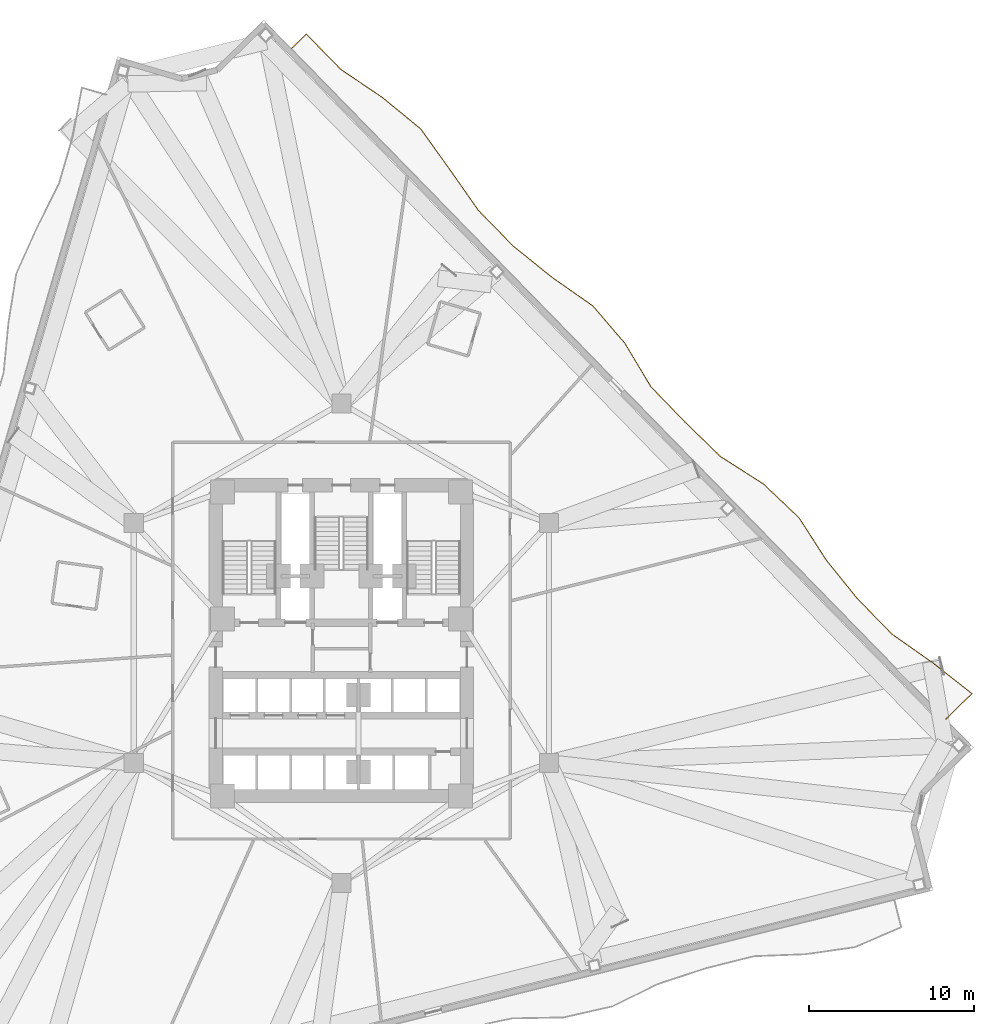
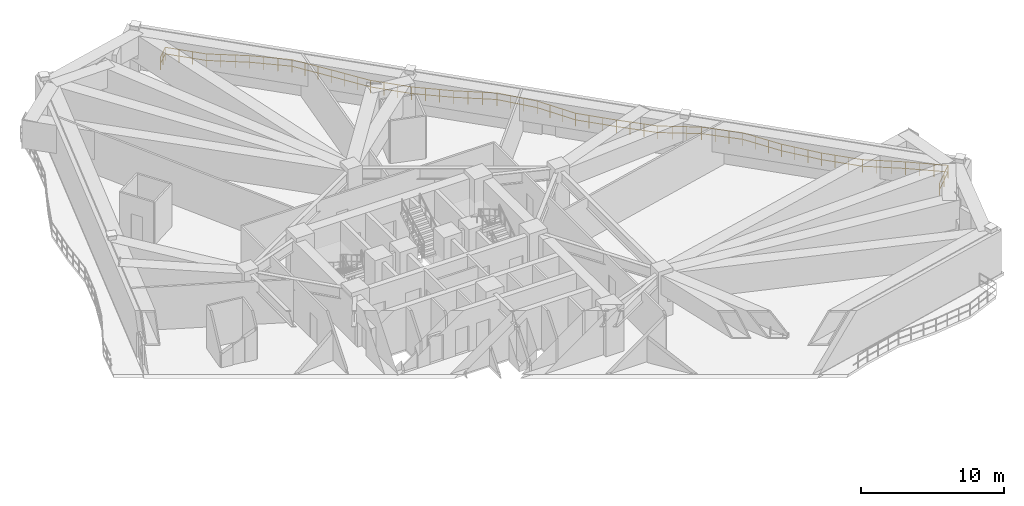
# One storey, part 14 of 14: 1 railing.
"""IFC4 building model written with IfcOpenShell, lengths in metres."""

import ifcopenshell
import ifcopenshell.guid

model = None  # the IFC model being written
_history = None  # IfcOwnerHistory: only IFC2X3 demands one
_inside = {}  # id of a spatial element -> (the spatial element, [elements in it])
_under = {}  # id of a project, library or spatial element -> (it, [spatial elements below it])
_declared = {}  # id of a project -> (the project, [libraries it declares])
_typed = {}  # id of a type object -> (the type object, [elements of that type])
_made_of = {}  # id of a material, layer set ... -> (it, [elements and type objects made of it])


def new_model(schema):
    """Start an empty IFC model of exactly this schema.

    Asked for "IFC4X3", IfcOpenShell would pick the latest addendum, in which some entities
    have other attributes; the version numbers below select the first issue.
    IFC2X3 requires an IfcOwnerHistory on every rooted entity: one is made here for all.
    """
    global model, _history
    if schema == "IFC4X3":
        model = ifcopenshell.file(schema_version=(4, 3, 0, 0))
    else:
        model = ifcopenshell.file(schema=schema)
    _inside.clear()
    _under.clear()
    _declared.clear()
    _typed.clear()
    _made_of.clear()
    _history = None
    if model.schema == "IFC2X3":
        org = make("IfcOrganization", Name="unknown")
        user = make(
            "IfcPersonAndOrganization",
            ThePerson=make("IfcPerson", FamilyName="unknown"),
            TheOrganization=org,
        )
        app = make(
            "IfcApplication",
            ApplicationDeveloper=org,
            Version="unknown",
            ApplicationFullName="unknown",
            ApplicationIdentifier="unknown",
        )
        _history = make(
            "IfcOwnerHistory",
            OwningUser=user,
            OwningApplication=app,
            ChangeAction="ADDED",
            CreationDate=0,
        )
    return model


def make(cls, **values):
    """One entity of the class cls with the attributes given. An attribute that is None is left unset."""
    return model.create_entity(
        cls, **{name: value for name, value in values.items() if value is not None}
    )


def rooted(cls, **values):
    """An entity with a GlobalId (a new one), such as an element, a storey or a relation."""
    return make(cls, GlobalId=ifcopenshell.guid.new(), OwnerHistory=_history, **values)


def si_unit(unit_type, name, prefix=None):
    """IfcSIUnit, for example si_unit("LENGTHUNIT", "METRE", prefix="MILLI")."""
    return make("IfcSIUnit", UnitType=unit_type, Prefix=prefix, Name=name)


def assignment(units):
    """IfcUnitAssignment: the units of a project."""
    return None if units is None else make("IfcUnitAssignment", Units=units)


def point(xyz):
    """IfcCartesianPoint."""
    return None if xyz is None else make("IfcCartesianPoint", Coordinates=xyz)


def direction(xyz):
    """IfcDirection."""
    return None if xyz is None else make("IfcDirection", DirectionRatios=xyz)


def frame(location, z_axis=None, x_axis=None):
    """IfcAxis2Placement3D, a coordinate frame: its origin and axes. An axis left out is left unset."""
    return make(
        "IfcAxis2Placement3D",
        Location=point(location),
        Axis=direction(z_axis),
        RefDirection=direction(x_axis),
    )


def frame_2d(location, x_axis=None):
    """IfcAxis2Placement2D, a coordinate frame in the plane: its origin and x axis."""
    return make(
        "IfcAxis2Placement2D", Location=point(location), RefDirection=direction(x_axis)
    )


def origin():
    """The frame at (0, 0, 0) with its axes left unset."""
    return frame((0.0, 0.0, 0.0))


def origin_2d():
    """The frame at (0, 0) in the plane with its x axis left unset."""
    return frame_2d((0.0, 0.0))


def place(relative_to, where):
    """IfcLocalPlacement: puts the frame where relative to a parent placement (None: the world)."""
    return make(
        "IfcLocalPlacement", PlacementRelTo=relative_to, RelativePlacement=where
    )


def context(
    kind, dimensions, precision=None, world=None, true_north=None, identifier=None
):
    """IfcGeometricRepresentationContext, for example the 3D "Model" context."""
    return make(
        "IfcGeometricRepresentationContext",
        ContextIdentifier=identifier,
        ContextType=kind,
        CoordinateSpaceDimension=dimensions,
        Precision=precision,
        WorldCoordinateSystem=world,
        TrueNorth=true_north,
    )


def subcontext(parent, identifier, kind, view, scale=None):
    """IfcGeometricRepresentationSubContext, for example "Body" below "Model"."""
    return make(
        "IfcGeometricRepresentationSubContext",
        ContextIdentifier=identifier,
        ContextType=kind,
        ParentContext=parent,
        TargetScale=scale,
        TargetView=view,
    )


def project(units=None, contexts=None):
    """IfcProject with its units and contexts."""
    return rooted(
        "IfcProject",
        Name="project",
        RepresentationContexts=contexts,
        UnitsInContext=assignment(units),
    )


def spatial(cls, under=None, at=None, **own):
    """A site, building, storey or space (cls), placed at a placement, below another one or the project."""
    s = rooted(cls, ObjectPlacement=at, **own)
    if under is not None:
        _under.setdefault(under.id(), (under, []))[1].append(s)
    return s


def profile(cls, at=None, kind="AREA", **sizes):
    """A parametric profile (cls). Its sizes go by their IFC names, for example OverallWidth=200.0."""
    return make(cls, ProfileType=kind, Position=at, **sizes)


def rectangle(**sizes):
    """IfcRectangleProfileDef."""
    return profile("IfcRectangleProfileDef", **sizes)


def extrude(swept, where, along, depth):
    """IfcExtrudedAreaSolid: the profile swept, set in the frame where, extruded along a direction by depth."""
    return make(
        "IfcExtrudedAreaSolid",
        SweptArea=swept,
        Position=where,
        ExtrudedDirection=direction(along),
        Depth=depth,
    )


def shape(context_of_items, identifier, shape_type, items):
    """IfcShapeRepresentation: the items that make up one representation, for example the "Body"."""
    return make(
        "IfcShapeRepresentation",
        ContextOfItems=context_of_items,
        RepresentationIdentifier=identifier,
        RepresentationType=shape_type,
        Items=items,
    )


def material(Name=None, Category=None):
    """IfcMaterial."""
    return make("IfcMaterial", Name=Name, Category=Category)


def made_of(thing, what):
    """Note that an element or type object is made of a material, layer set ...; save() writes the relation."""
    if what is not None:
        _made_of.setdefault(what.id(), (what, []))[1].append(thing)
    return thing


def type_object(cls, material=None, **own):
    """A type object (cls), such as IfcWallType, which elements share."""
    return made_of(rooted(cls, **own), material)


def element(
    cls,
    number,
    at=None,
    inside=None,
    cuts=None,
    type_object=None,
    material=None,
    context=None,
    identifier="Body",
    shape_type=None,
    held_by="IfcProductDefinitionShape",
    body=None,
    shapes=None,
    **own,
):
    """One element of the class cls, such as IfcWall. Its Tag is "e" and its number.

    at: its placement. inside: the storey or other place that contains it. cuts: it is an
    opening in that element (IfcRelVoidsElement). A single representation is given by context,
    identifier, shape_type and body (its items); several are given by shapes. held_by: the class
    of the entity that holds the representations. save() writes the other relations.
    """
    e = rooted(cls, Tag="e%d" % number, ObjectPlacement=at, **own)
    if body is not None:
        shapes = [shape(context, identifier, shape_type, body)]
    if shapes is not None:
        e.Representation = make(held_by, Representations=shapes)
    if inside is not None:
        _inside.setdefault(inside.id(), (inside, []))[1].append(e)
    if cuts is not None:
        rooted(
            "IfcRelVoidsElement", RelatingBuildingElement=cuts, RelatedOpeningElement=e
        )
    if type_object is not None:
        _typed.setdefault(type_object.id(), (type_object, []))[1].append(e)
    return made_of(e, material)


def aggregate(whole, parts):
    """IfcRelAggregates: a whole, such as a stair, and the parts it consists of."""
    return rooted("IfcRelAggregates", RelatingObject=whole, RelatedObjects=parts)


def save(model, path):
    """Write the relations noted so far, then the file.

    IfcRelAggregates (storeys below a building ...), IfcRelContainedInSpatialStructure (elements
    in a storey), IfcRelDefinesByType, IfcRelAssociatesMaterial and IfcRelDeclares: one each for
    every whole, place, type object, material and project.
    """
    for whole, parts in _under.values():
        aggregate(whole, parts)
    for where, things in _inside.values():
        rooted(
            "IfcRelContainedInSpatialStructure",
            RelatedElements=things,
            RelatingStructure=where,
        )
    for kind, things in _typed.values():
        rooted("IfcRelDefinesByType", RelatedObjects=things, RelatingType=kind)
    for what, things in _made_of.values():
        rooted("IfcRelAssociatesMaterial", RelatedObjects=things, RelatingMaterial=what)
    for by, libraries in _declared.values():
        rooted("IfcRelDeclares", RelatingContext=by, RelatedDefinitions=libraries)
    model.write(path)


model = new_model("IFC4")

# Units and contexts
model_context = context("Model", 3, precision=1e-05, world=origin(), true_north=direction((0.0, 1.0)))
body_context = subcontext(model_context, "Body", "Model", "MODEL_VIEW")
ifc_project = project(units=[si_unit("LENGTHUNIT", "METRE"), si_unit("AREAUNIT", "SQUARE_METRE"), si_unit("VOLUMEUNIT", "CUBIC_METRE"), si_unit("PLANEANGLEUNIT", "RADIAN"), si_unit("MASSUNIT", "GRAM", prefix="KILO")], contexts=[model_context])

# Site, building, storey
site_placement = place(None, origin())
site = spatial("IfcSite", under=ifc_project, at=site_placement, CompositionType="ELEMENT")
building_placement = place(site_placement, origin())
building = spatial("IfcBuilding", under=site, at=building_placement, Name="Apsidion Concourse Tower", CompositionType="ELEMENT")
storey_placement = place(building_placement, frame((0.0, 0.0, 123.0)))
storey = spatial("IfcBuildingStorey", under=building, at=storey_placement, Name="L28", CompositionType="ELEMENT", Elevation=123.0)

# Railing
ifc_material = material(Name="Brushed stainless steel 316", Category="steel")
railing_type = type_object("IfcRailingType", Name="RL-BAL-1120", PredefinedType="BALUSTRADE", material=ifc_material)
railing_placement = place(storey_placement, frame((-3.018310546875, 35.96728515625, 0.0)))
element("IfcRailing", 1, at=railing_placement, inside=storey, type_object=railing_type, Name="L28 Face 3 Rippling Balcony Balustrade", PredefinedType="BALUSTRADE", context=body_context, shape_type="SweptSolid", body=[
    extrude(rectangle(XDim=0.048095703125, YDim=0.048095703125, at=origin_2d()), frame((0.0, 0.0, 1.09619140625), z_axis=(0.715648587439, 0.698460520929, 0.0), x_axis=(-0.698460520929, 0.715648587439, 0.0)), (0.0, 0.0, 1.0), 1.25),
    extrude(rectangle(XDim=0.048095703125, YDim=0.048095703125, at=origin_2d()), frame((0.0, 0.0, 0.5361328125), z_axis=(0.715648587439, 0.698460520929, 0.0), x_axis=(-0.698460520929, 0.715648587439, 0.0)), (0.0, 0.0, 1.0), 1.25),
    extrude(rectangle(XDim=0.048095703125, YDim=0.048095703125, at=origin_2d()), frame((0.89453125, 0.873046875, 1.09619140625), z_axis=(0.698501798427, -0.715608298998, 0.0), x_axis=(0.715608298998, 0.698501798427, 0.0)), (0.0, 0.0, 1.0), 2.98291015625),
    extrude(rectangle(XDim=0.048095703125, YDim=0.048095703125, at=origin_2d()), frame((0.89453125, 0.873046875, 0.5361328125), z_axis=(0.698501798427, -0.715608298998, 0.0), x_axis=(0.715608298998, 0.698501798427, 0.0)), (0.0, 0.0, 1.0), 2.98291015625),
    extrude(rectangle(XDim=0.048095703125, YDim=0.048095703125, at=origin_2d()), frame((2.97802734375, -1.261474609375, 1.09619140625), z_axis=(0.828668354084, -0.559739902937, 0.0), x_axis=(0.559739902937, 0.828668354084, 0.0)), (0.0, 0.0, 1.0), 3.045654296875),
    extrude(rectangle(XDim=0.048095703125, YDim=0.048095703125, at=origin_2d()), frame((2.97802734375, -1.261474609375, 0.5361328125), z_axis=(0.828668354084, -0.559739902937, 0.0), x_axis=(0.559739902937, 0.828668354084, 0.0)), (0.0, 0.0, 1.0), 3.045654296875),
    extrude(rectangle(XDim=0.048095703125, YDim=0.048095703125, at=origin_2d()), frame((5.501953125, -2.96630859375, 1.09619140625), z_axis=(0.773119395678, -0.634260514321, 0.0), x_axis=(0.634260514321, 0.773119395678, 0.0)), (0.0, 0.0, 1.0), 3.001220703125),
    extrude(rectangle(XDim=0.048095703125, YDim=0.048095703125, at=origin_2d()), frame((5.501953125, -2.96630859375, 0.5361328125), z_axis=(0.773119395678, -0.634260514321, 0.0), x_axis=(0.634260514321, 0.773119395678, 0.0)), (0.0, 0.0, 1.0), 3.001220703125),
    extrude(rectangle(XDim=0.048095703125, YDim=0.048095703125, at=origin_2d()), frame((7.822265625, -4.869873046875, 1.09619140625), z_axis=(0.581528928728, -0.813525724887, 0.0), x_axis=(0.813525724887, 0.581528928728, 0.0)), (0.0, 0.0, 1.0), 3.01806640625),
    extrude(rectangle(XDim=0.048095703125, YDim=0.048095703125, at=origin_2d()), frame((7.822265625, -4.869873046875, 0.5361328125), z_axis=(0.581528928728, -0.813525724887, 0.0), x_axis=(0.813525724887, 0.581528928728, 0.0)), (0.0, 0.0, 1.0), 3.01806640625),
    extrude(rectangle(XDim=0.048095703125, YDim=0.048095703125, at=origin_2d()), frame((9.577392578125, -7.3251953125, 1.09619140625), z_axis=(0.573971807053, -0.818875060499, 0.0), x_axis=(0.818875060499, 0.573971807053, 0.0)), (0.0, 0.0, 1.0), 3.0224609375),
    extrude(rectangle(XDim=0.048095703125, YDim=0.048095703125, at=origin_2d()), frame((9.577392578125, -7.3251953125, 0.5361328125), z_axis=(0.573971807053, -0.818875060499, 0.0), x_axis=(0.818875060499, 0.573971807053, 0.0)), (0.0, 0.0, 1.0), 3.0224609375),
    extrude(rectangle(XDim=0.048095703125, YDim=0.048095703125, at=origin_2d()), frame((11.312255859375, -9.80029296875, 1.09619140625), z_axis=(0.698501798427, -0.715608298998, 0.0), x_axis=(0.715608298998, 0.698501798427, 0.0)), (0.0, 0.0, 1.0), 2.98291015625),
    extrude(rectangle(XDim=0.048095703125, YDim=0.048095703125, at=origin_2d()), frame((11.312255859375, -9.80029296875, 0.5361328125), z_axis=(0.698501798427, -0.715608298998, 0.0), x_axis=(0.715608298998, 0.698501798427, 0.0)), (0.0, 0.0, 1.0), 2.98291015625),
    extrude(rectangle(XDim=0.048095703125, YDim=0.048095703125, at=origin_2d()), frame((13.395751953125, -11.934814453125, 1.09619140625), z_axis=(0.777558996171, -0.62880999314, 0.0), x_axis=(0.62880999314, 0.777558996171, 0.0)), (0.0, 0.0, 1.0), 3.003662109375),
    extrude(rectangle(XDim=0.048095703125, YDim=0.048095703125, at=origin_2d()), frame((13.395751953125, -11.934814453125, 0.5361328125), z_axis=(0.777558996171, -0.62880999314, 0.0), x_axis=(0.62880999314, 0.777558996171, 0.0)), (0.0, 0.0, 1.0), 3.003662109375),
    extrude(rectangle(XDim=0.048095703125, YDim=0.048095703125, at=origin_2d()), frame((15.731201171875, -13.823486328125, 1.09619140625), z_axis=(0.819484951568, -0.573100701582, 0.0), x_axis=(0.573100701582, 0.819484951568, 0.0)), (0.0, 0.0, 1.0), 3.0361328125),
    extrude(rectangle(XDim=0.048095703125, YDim=0.048095703125, at=origin_2d()), frame((15.731201171875, -13.823486328125, 0.5361328125), z_axis=(0.819484951568, -0.573100701582, 0.0), x_axis=(0.573100701582, 0.819484951568, 0.0)), (0.0, 0.0, 1.0), 3.0361328125),
    extrude(rectangle(XDim=0.048095703125, YDim=0.048095703125, at=origin_2d()), frame((18.21923828125, -15.5634765625, 1.09619140625), z_axis=(0.651752794693, -0.758431469949, 0.0), x_axis=(0.758431469949, 0.651752794693, 0.0)), (0.0, 0.0, 1.0), 2.98876953125),
    extrude(rectangle(XDim=0.048095703125, YDim=0.048095703125, at=origin_2d()), frame((18.21923828125, -15.5634765625, 0.5361328125), z_axis=(0.651752794693, -0.758431469949, 0.0), x_axis=(0.758431469949, 0.651752794693, 0.0)), (0.0, 0.0, 1.0), 2.98876953125),
    extrude(rectangle(XDim=0.048095703125, YDim=0.048095703125, at=origin_2d()), frame((20.167236328125, -17.830322265625, 1.09619140625), z_axis=(0.513195774879, -0.858271575112, 0.0), x_axis=(0.858271575112, 0.513195774879, 0.0)), (0.0, 0.0, 1.0), 3.06689453125),
    extrude(rectangle(XDim=0.048095703125, YDim=0.048095703125, at=origin_2d()), frame((20.167236328125, -17.830322265625, 0.5361328125), z_axis=(0.513195774879, -0.858271575112, 0.0), x_axis=(0.858271575112, 0.513195774879, 0.0)), (0.0, 0.0, 1.0), 3.06689453125),
    extrude(rectangle(XDim=0.048095703125, YDim=0.048095703125, at=origin_2d()), frame((21.7412109375, -20.462646484375, 1.09619140625), z_axis=(0.694723041233, -0.719277342879, 0.0), x_axis=(0.719277342879, 0.694723041233, 0.0)), (0.0, 0.0, 1.0), 2.98291015625),
    extrude(rectangle(XDim=0.048095703125, YDim=0.048095703125, at=origin_2d()), frame((21.7412109375, -20.462646484375, 0.5361328125), z_axis=(0.694723041233, -0.719277342879, 0.0), x_axis=(0.719277342879, 0.694723041233, 0.0)), (0.0, 0.0, 1.0), 2.98291015625),
    extrude(rectangle(XDim=0.048095703125, YDim=0.048095703125, at=origin_2d()), frame((23.8134765625, -22.608154296875, 1.09619140625), z_axis=(0.717381018717, -0.696681041786, 0.0), x_axis=(0.696681041786, 0.717381018717, 0.0)), (0.0, 0.0, 1.0), 2.98388671875),
    extrude(rectangle(XDim=0.048095703125, YDim=0.048095703125, at=origin_2d()), frame((23.8134765625, -22.608154296875, 0.5361328125), z_axis=(0.717381018717, -0.696681041786, 0.0), x_axis=(0.696681041786, 0.717381018717, 0.0)), (0.0, 0.0, 1.0), 2.98388671875),
    extrude(rectangle(XDim=0.048095703125, YDim=0.048095703125, at=origin_2d()), frame((25.9541015625, -24.68701171875, 1.09619140625), z_axis=(0.843182039121, -0.537628169746, 0.0), x_axis=(0.537628169746, 0.843182039121, 0.0)), (0.0, 0.0, 1.0), 3.0634765625),
    extrude(rectangle(XDim=0.048095703125, YDim=0.048095703125, at=origin_2d()), frame((25.9541015625, -24.68701171875, 0.5361328125), z_axis=(0.843182039121, -0.537628169746, 0.0), x_axis=(0.537628169746, 0.843182039121, 0.0)), (0.0, 0.0, 1.0), 3.0634765625),
    extrude(rectangle(XDim=0.048095703125, YDim=0.048095703125, at=origin_2d()), frame((28.537109375, -26.333984375, 1.09619140625), z_axis=(0.725348510589, -0.688381825869, 0.0), x_axis=(0.688381825869, 0.725348510589, 0.0)), (0.0, 0.0, 1.0), 2.985107421875),
    extrude(rectangle(XDim=0.048095703125, YDim=0.048095703125, at=origin_2d()), frame((28.537109375, -26.333984375, 0.5361328125), z_axis=(0.725348510589, -0.688381825869, 0.0), x_axis=(0.688381825869, 0.725348510589, 0.0)), (0.0, 0.0, 1.0), 2.985107421875),
    extrude(rectangle(XDim=0.048095703125, YDim=0.048095703125, at=origin_2d()), frame((30.702392578125, -28.388916015625, 1.09619140625), z_axis=(0.541118249269, -0.840946514535, 0.0), x_axis=(0.840946514535, 0.541118249269, 0.0)), (0.0, 0.0, 1.0), 3.04443359375),
    extrude(rectangle(XDim=0.048095703125, YDim=0.048095703125, at=origin_2d()), frame((30.702392578125, -28.388916015625, 0.5361328125), z_axis=(0.541118249269, -0.840946514535, 0.0), x_axis=(0.840946514535, 0.541118249269, 0.0)), (0.0, 0.0, 1.0), 3.04443359375),
    extrude(rectangle(XDim=0.048095703125, YDim=0.048095703125, at=origin_2d()), frame((32.349853515625, -30.94921875, 1.09619140625), z_axis=(0.627889406949, -0.778302571396, 0.0), x_axis=(0.778302571396, 0.627889406949, 0.0)), (0.0, 0.0, 1.0), 2.996337890625),
    extrude(rectangle(XDim=0.048095703125, YDim=0.048095703125, at=origin_2d()), frame((32.349853515625, -30.94921875, 0.5361328125), z_axis=(0.627889406949, -0.778302571396, 0.0), x_axis=(0.778302571396, 0.627889406949, 0.0)), (0.0, 0.0, 1.0), 2.996337890625),
    extrude(rectangle(XDim=0.048095703125, YDim=0.048095703125, at=origin_2d()), frame((34.231201171875, -33.28125, 1.09619140625), z_axis=(0.698501798427, -0.715608298998, 0.0), x_axis=(0.715608298998, 0.698501798427, 0.0)), (0.0, 0.0, 1.0), 2.98291015625),
    extrude(rectangle(XDim=0.048095703125, YDim=0.048095703125, at=origin_2d()), frame((34.231201171875, -33.28125, 0.5361328125), z_axis=(0.698501798427, -0.715608298998, 0.0), x_axis=(0.715608298998, 0.698501798427, 0.0)), (0.0, 0.0, 1.0), 2.98291015625),
    extrude(rectangle(XDim=0.048095703125, YDim=0.048095703125, at=origin_2d()), frame((36.314697265625, -35.415771484375, 1.09619140625), z_axis=(0.817166293562, -0.576401985307, 0.0), x_axis=(0.576401985307, 0.817166293562, 0.0)), (0.0, 0.0, 1.0), 3.033935546875),
    extrude(rectangle(XDim=0.048095703125, YDim=0.048095703125, at=origin_2d()), frame((36.314697265625, -35.415771484375, 0.5361328125), z_axis=(0.817166293562, -0.576401985307, 0.0), x_axis=(0.576401985307, 0.817166293562, 0.0)), (0.0, 0.0, 1.0), 3.033935546875),
    extrude(rectangle(XDim=0.048095703125, YDim=0.048095703125, at=origin_2d()), frame((38.7939453125, -37.16455078125, 1.09619140625), z_axis=(0.786895130435, -0.617086747303, 0.0), x_axis=(0.617086747303, 0.786895130435, 0.0)), (0.0, 0.0, 1.0), 3.00927734375),
    extrude(rectangle(XDim=0.048095703125, YDim=0.048095703125, at=origin_2d()), frame((38.7939453125, -37.16455078125, 0.5361328125), z_axis=(0.786895130435, -0.617086747303, 0.0), x_axis=(0.617086747303, 0.786895130435, 0.0)), (0.0, 0.0, 1.0), 3.00927734375),
    extrude(rectangle(XDim=0.048095703125, YDim=0.048095703125, at=origin_2d()), frame((41.161865234375, -39.021484375, 1.09619140625), z_axis=(-0.715599296869, -0.698511020901, 0.0), x_axis=(0.698511020901, -0.715599296869, 0.0)), (0.0, 0.0, 1.0), 2.2001953125),
    extrude(rectangle(XDim=0.048095703125, YDim=0.048095703125, at=origin_2d()), frame((41.161865234375, -39.021484375, 0.5361328125), z_axis=(-0.715599296869, -0.698511020901, 0.0), x_axis=(0.698511020901, -0.715599296869, 0.0)), (0.0, 0.0, 1.0), 2.2001953125),
    extrude(rectangle(XDim=0.0419921875, YDim=0.0419921875, at=origin_2d()), origin(), (0.0, 0.0, 1.0), 1.072021484375),
    extrude(rectangle(XDim=0.0419921875, YDim=0.0419921875, at=origin_2d()), frame((0.447265625, 0.4365234375, 0.0)), (0.0, 0.0, 1.0), 1.072021484375),
    extrude(rectangle(XDim=0.0419921875, YDim=0.0419921875, at=origin_2d()), frame((0.89453125, 0.873046875, 0.0)), (0.0, 0.0, 1.0), 1.072021484375),
    extrude(rectangle(XDim=0.0419921875, YDim=0.0419921875, at=origin_2d()), frame((1.589111328125, 0.16162109375, 0.0)), (0.0, 0.0, 1.0), 1.072021484375),
    extrude(rectangle(XDim=0.0419921875, YDim=0.0419921875, at=origin_2d()), frame((2.283447265625, -0.550048828125, 0.0)), (0.0, 0.0, 1.0), 1.072021484375),
    extrude(rectangle(XDim=0.0419921875, YDim=0.0419921875, at=origin_2d()), frame((2.97802734375, -1.261474609375, 0.0)), (0.0, 0.0, 1.0), 1.072021484375),
    extrude(rectangle(XDim=0.0419921875, YDim=0.0419921875, at=origin_2d()), frame((3.8193359375, -1.829833984375, 0.0)), (0.0, 0.0, 1.0), 1.072021484375),
    extrude(rectangle(XDim=0.0419921875, YDim=0.0419921875, at=origin_2d()), frame((4.66064453125, -2.39794921875, 0.0)), (0.0, 0.0, 1.0), 1.072021484375),
    extrude(rectangle(XDim=0.0419921875, YDim=0.0419921875, at=origin_2d()), frame((5.501953125, -2.96630859375, 0.0)), (0.0, 0.0, 1.0), 1.072021484375),
    extrude(rectangle(XDim=0.0419921875, YDim=0.0419921875, at=origin_2d()), frame((6.275390625, -3.600830078125, 0.0)), (0.0, 0.0, 1.0), 1.072021484375),
    extrude(rectangle(XDim=0.0419921875, YDim=0.0419921875, at=origin_2d()), frame((7.048828125, -4.2353515625, 0.0)), (0.0, 0.0, 1.0), 1.072021484375),
    extrude(rectangle(XDim=0.0419921875, YDim=0.0419921875, at=origin_2d()), frame((7.822265625, -4.869873046875, 0.0)), (0.0, 0.0, 1.0), 1.072021484375),
    extrude(rectangle(XDim=0.0419921875, YDim=0.0419921875, at=origin_2d()), frame((8.4072265625, -5.688232421875, 0.0)), (0.0, 0.0, 1.0), 1.072021484375),
    extrude(rectangle(XDim=0.0419921875, YDim=0.0419921875, at=origin_2d()), frame((8.992431640625, -6.5068359375, 0.0)), (0.0, 0.0, 1.0), 1.072021484375),
    extrude(rectangle(XDim=0.0419921875, YDim=0.0419921875, at=origin_2d()), frame((9.577392578125, -7.3251953125, 0.0)), (0.0, 0.0, 1.0), 1.072021484375),
    extrude(rectangle(XDim=0.0419921875, YDim=0.0419921875, at=origin_2d()), frame((10.15576171875, -8.150146484375, 0.0)), (0.0, 0.0, 1.0), 1.072021484375),
    extrude(rectangle(XDim=0.0419921875, YDim=0.0419921875, at=origin_2d()), frame((10.73388671875, -8.975341796875, 0.0)), (0.0, 0.0, 1.0), 1.072021484375),
    extrude(rectangle(XDim=0.0419921875, YDim=0.0419921875, at=origin_2d()), frame((11.312255859375, -9.80029296875, 0.0)), (0.0, 0.0, 1.0), 1.072021484375),
    extrude(rectangle(XDim=0.0419921875, YDim=0.0419921875, at=origin_2d()), frame((12.0068359375, -10.51171875, 0.0)), (0.0, 0.0, 1.0), 1.072021484375),
    extrude(rectangle(XDim=0.0419921875, YDim=0.0419921875, at=origin_2d()), frame((12.701171875, -11.223388671875, 0.0)), (0.0, 0.0, 1.0), 1.072021484375),
    extrude(rectangle(XDim=0.0419921875, YDim=0.0419921875, at=origin_2d()), frame((13.395751953125, -11.934814453125, 0.0)), (0.0, 0.0, 1.0), 1.072021484375),
    extrude(rectangle(XDim=0.0419921875, YDim=0.0419921875, at=origin_2d()), frame((14.17431640625, -12.564453125, 0.0)), (0.0, 0.0, 1.0), 1.072021484375),
    extrude(rectangle(XDim=0.0419921875, YDim=0.0419921875, at=origin_2d()), frame((14.95263671875, -13.19384765625, 0.0)), (0.0, 0.0, 1.0), 1.072021484375),
    extrude(rectangle(XDim=0.0419921875, YDim=0.0419921875, at=origin_2d()), frame((15.731201171875, -13.823486328125, 0.0)), (0.0, 0.0, 1.0), 1.072021484375),
    extrude(rectangle(XDim=0.0419921875, YDim=0.0419921875, at=origin_2d()), frame((16.560546875, -14.403564453125, 0.0)), (0.0, 0.0, 1.0), 1.072021484375),
    extrude(rectangle(XDim=0.0419921875, YDim=0.0419921875, at=origin_2d()), frame((17.389892578125, -14.9833984375, 0.0)), (0.0, 0.0, 1.0), 1.072021484375),
    extrude(rectangle(XDim=0.0419921875, YDim=0.0419921875, at=origin_2d()), frame((18.21923828125, -15.5634765625, 0.0)), (0.0, 0.0, 1.0), 1.072021484375),
    extrude(rectangle(XDim=0.0419921875, YDim=0.0419921875, at=origin_2d()), frame((18.86865234375, -16.319091796875, 0.0)), (0.0, 0.0, 1.0), 1.072021484375),
    extrude(rectangle(XDim=0.0419921875, YDim=0.0419921875, at=origin_2d()), frame((19.517822265625, -17.07470703125, 0.0)), (0.0, 0.0, 1.0), 1.072021484375),
    extrude(rectangle(XDim=0.0419921875, YDim=0.0419921875, at=origin_2d()), frame((20.167236328125, -17.830322265625, 0.0)), (0.0, 0.0, 1.0), 1.072021484375),
    extrude(rectangle(XDim=0.0419921875, YDim=0.0419921875, at=origin_2d()), frame((20.69189453125, -18.707763671875, 0.0)), (0.0, 0.0, 1.0), 1.072021484375),
    extrude(rectangle(XDim=0.0419921875, YDim=0.0419921875, at=origin_2d()), frame((21.216552734375, -19.585205078125, 0.0)), (0.0, 0.0, 1.0), 1.072021484375),
    extrude(rectangle(XDim=0.0419921875, YDim=0.0419921875, at=origin_2d()), frame((21.7412109375, -20.462646484375, 0.0)), (0.0, 0.0, 1.0), 1.072021484375),
    extrude(rectangle(XDim=0.0419921875, YDim=0.0419921875, at=origin_2d()), frame((22.431884765625, -21.177734375, 0.0)), (0.0, 0.0, 1.0), 1.072021484375),
    extrude(rectangle(XDim=0.0419921875, YDim=0.0419921875, at=origin_2d()), frame((23.122802734375, -21.89306640625, 0.0)), (0.0, 0.0, 1.0), 1.072021484375),
    extrude(rectangle(XDim=0.0419921875, YDim=0.0419921875, at=origin_2d()), frame((23.8134765625, -22.608154296875, 0.0)), (0.0, 0.0, 1.0), 1.072021484375),
    extrude(rectangle(XDim=0.0419921875, YDim=0.0419921875, at=origin_2d()), frame((24.527099609375, -23.301025390625, 0.0)), (0.0, 0.0, 1.0), 1.072021484375),
    extrude(rectangle(XDim=0.0419921875, YDim=0.0419921875, at=origin_2d()), frame((25.240478515625, -23.994140625, 0.0)), (0.0, 0.0, 1.0), 1.072021484375),
    extrude(rectangle(XDim=0.0419921875, YDim=0.0419921875, at=origin_2d()), frame((25.9541015625, -24.68701171875, 0.0)), (0.0, 0.0, 1.0), 1.072021484375),
    extrude(rectangle(XDim=0.0419921875, YDim=0.0419921875, at=origin_2d()), frame((26.815185546875, -25.236083984375, 0.0)), (0.0, 0.0, 1.0), 1.072021484375),
    extrude(rectangle(XDim=0.0419921875, YDim=0.0419921875, at=origin_2d()), frame((27.676025390625, -25.784912109375, 0.0)), (0.0, 0.0, 1.0), 1.072021484375),
    extrude(rectangle(XDim=0.0419921875, YDim=0.0419921875, at=origin_2d()), frame((28.537109375, -26.333984375, 0.0)), (0.0, 0.0, 1.0), 1.072021484375),
    extrude(rectangle(XDim=0.0419921875, YDim=0.0419921875, at=origin_2d()), frame((29.2587890625, -27.01904296875, 0.0)), (0.0, 0.0, 1.0), 1.072021484375),
    extrude(rectangle(XDim=0.0419921875, YDim=0.0419921875, at=origin_2d()), frame((29.980712890625, -27.703857421875, 0.0)), (0.0, 0.0, 1.0), 1.072021484375),
    extrude(rectangle(XDim=0.0419921875, YDim=0.0419921875, at=origin_2d()), frame((30.702392578125, -28.388916015625, 0.0)), (0.0, 0.0, 1.0), 1.072021484375),
    extrude(rectangle(XDim=0.0419921875, YDim=0.0419921875, at=origin_2d()), frame((31.25146484375, -29.242431640625, 0.0)), (0.0, 0.0, 1.0), 1.072021484375),
    extrude(rectangle(XDim=0.0419921875, YDim=0.0419921875, at=origin_2d()), frame((31.80078125, -30.095703125, 0.0)), (0.0, 0.0, 1.0), 1.072021484375),
    extrude(rectangle(XDim=0.0419921875, YDim=0.0419921875, at=origin_2d()), frame((32.349853515625, -30.94921875, 0.0)), (0.0, 0.0, 1.0), 1.072021484375),
    extrude(rectangle(XDim=0.0419921875, YDim=0.0419921875, at=origin_2d()), frame((32.97705078125, -31.7265625, 0.0)), (0.0, 0.0, 1.0), 1.072021484375),
    extrude(rectangle(XDim=0.0419921875, YDim=0.0419921875, at=origin_2d()), frame((33.60400390625, -32.50390625, 0.0)), (0.0, 0.0, 1.0), 1.072021484375),
    extrude(rectangle(XDim=0.0419921875, YDim=0.0419921875, at=origin_2d()), frame((34.231201171875, -33.28125, 0.0)), (0.0, 0.0, 1.0), 1.072021484375),
    extrude(rectangle(XDim=0.0419921875, YDim=0.0419921875, at=origin_2d()), frame((34.92578125, -33.99267578125, 0.0)), (0.0, 0.0, 1.0), 1.072021484375),
    extrude(rectangle(XDim=0.0419921875, YDim=0.0419921875, at=origin_2d()), frame((35.6201171875, -34.704345703125, 0.0)), (0.0, 0.0, 1.0), 1.072021484375),
    extrude(rectangle(XDim=0.0419921875, YDim=0.0419921875, at=origin_2d()), frame((36.314697265625, -35.415771484375, 0.0)), (0.0, 0.0, 1.0), 1.072021484375),
    extrude(rectangle(XDim=0.0419921875, YDim=0.0419921875, at=origin_2d()), frame((37.14111328125, -35.998779296875, 0.0)), (0.0, 0.0, 1.0), 1.072021484375),
    extrude(rectangle(XDim=0.0419921875, YDim=0.0419921875, at=origin_2d()), frame((37.967529296875, -36.58154296875, 0.0)), (0.0, 0.0, 1.0), 1.072021484375),
    extrude(rectangle(XDim=0.0419921875, YDim=0.0419921875, at=origin_2d()), frame((38.7939453125, -37.16455078125, 0.0)), (0.0, 0.0, 1.0), 1.072021484375),
    extrude(rectangle(XDim=0.0419921875, YDim=0.0419921875, at=origin_2d()), frame((39.583251953125, -37.783447265625, 0.0)), (0.0, 0.0, 1.0), 1.072021484375),
    extrude(rectangle(XDim=0.0419921875, YDim=0.0419921875, at=origin_2d()), frame((40.37255859375, -38.402587890625, 0.0)), (0.0, 0.0, 1.0), 1.072021484375),
    extrude(rectangle(XDim=0.0419921875, YDim=0.0419921875, at=origin_2d()), frame((41.161865234375, -39.021484375, 0.0)), (0.0, 0.0, 1.0), 1.072021484375),
    extrude(rectangle(XDim=0.0419921875, YDim=0.0419921875, at=origin_2d()), frame((40.37451171875, -39.7900390625, 0.0)), (0.0, 0.0, 1.0), 1.072021484375),
    extrude(rectangle(XDim=0.0419921875, YDim=0.0419921875, at=origin_2d()), frame((39.58740234375, -40.558349609375, 0.0)), (0.0, 0.0, 1.0), 1.072021484375),
])

save(model, "model.ifc")
